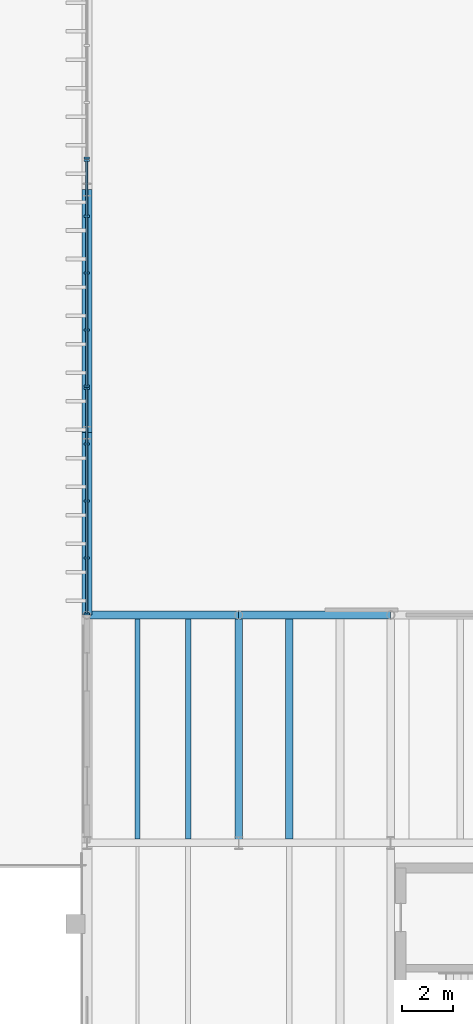
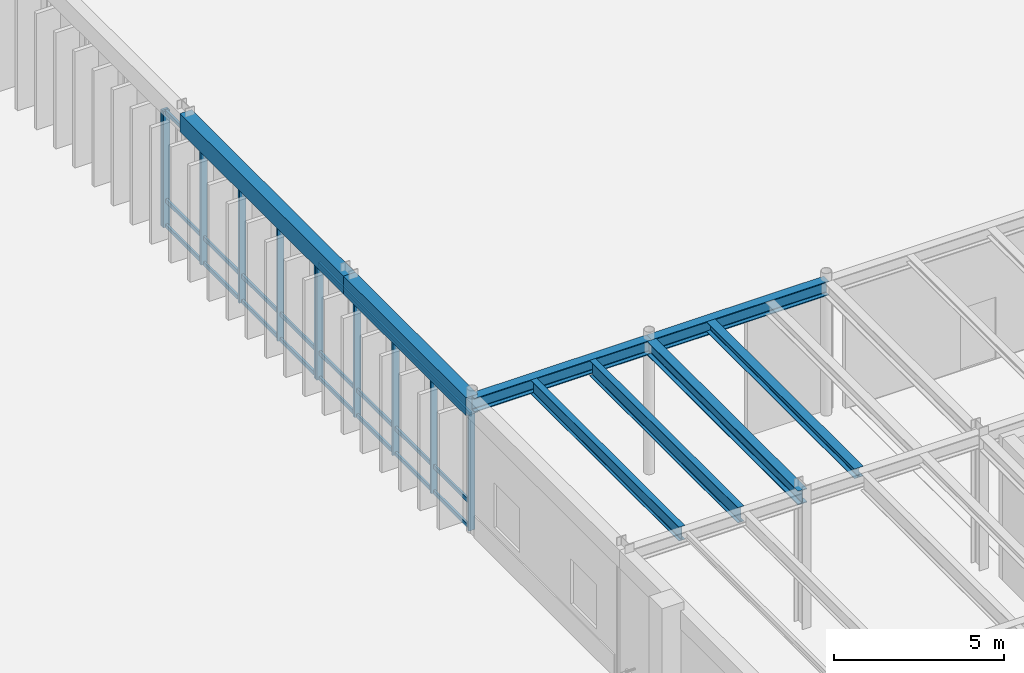
# One storey, part 18 of 64: 17 members, 8 beams, 3 elements without a shape of their own.
"""IFC4 building model written with IfcOpenShell, lengths in metres."""

from ifc_helpers import new_model, si_unit, direction, frame, origin, origin_2d, place, context, subcontext, project, spatial, rectangle, i_section, extrude, material, layer, layer_set, material_profile, profile_set, type_object, element, aggregate, save


model = new_model("IFC4")

# Units and contexts
model_context = context("Model", 3, precision=1e-05, world=origin(), true_north=direction((0.0, 1.0)))
body_context = subcontext(model_context, "Body", "Model", "MODEL_VIEW")
ifc_project = project(units=[si_unit("LENGTHUNIT", "METRE"), si_unit("AREAUNIT", "SQUARE_METRE"), si_unit("VOLUMEUNIT", "CUBIC_METRE"), si_unit("PLANEANGLEUNIT", "RADIAN"), si_unit("MASSUNIT", "GRAM", prefix="KILO")], contexts=[model_context])

# Site, building, storey
site_placement = place(None, origin())
site = spatial("IfcSite", under=ifc_project, at=site_placement, CompositionType="ELEMENT")
building_placement = place(site_placement, origin())
building = spatial("IfcBuilding", under=site, at=building_placement, Name="Montealbar Specialist Clinic", CompositionType="ELEMENT")
storey_placement = place(building_placement, origin())
storey = spatial("IfcBuildingStorey", under=building, at=storey_placement, Name="L00", CompositionType="ELEMENT", Elevation=0.0)

# Beams
ifc_material_1 = material(Name="Steel S355", Category="steel")
ifc_material_profile_1 = material_profile(ifc_material_1, i_section(OverallWidth=0.300048828125, OverallDepth=0.5, WebThickness=0.014404296875, FlangeThickness=0.028076171875, FilletRadius=0.027099609375, at=origin_2d()), Name="HEB 500", Category="steel")
ifc_profile_set_1 = profile_set([ifc_material_profile_1], Name="Steel S355")
beam_type_1 = type_object("IfcBeamType", Name="BM-GIRD-HEB500", PredefinedType="BEAM", material=ifc_profile_set_1)
for number, where, z_axis, x_axis, name in (
    (1, (54.0, 45.0, 4.56005859375), (1.0, 0.0, 0.0), (0.0, 1.0, 0.0), "Beam GX-L00-540-600-450"),
    (2, (60.0, 45.0, 4.56005859375), (1.0, 0.0, 0.0), (0.0, 1.0, 0.0), "Beam GX-L00-600-660-450"),
):
    element("IfcBeam", number, at=place(storey_placement, frame(where, z_axis=z_axis, x_axis=x_axis)), inside=storey, type_object=beam_type_1, Name=name, PredefinedType="BEAM", context=body_context, shape_type="SweptSolid", body=[
        extrude(i_section(OverallWidth=0.300048828125, OverallDepth=0.5, WebThickness=0.014404296875, FlangeThickness=0.028076171875, FilletRadius=0.027099609375, at=origin_2d()), origin(), (0.0, 0.0, 1.0), 6.0),
    ])
beam_1_placement = place(storey_placement, frame((60.0, 36.0, 4.56005859375), z_axis=(0.0, 1.0, 0.0), x_axis=(-1.0, 0.0, 0.0)))
element("IfcBeam", 3, at=beam_1_placement, inside=storey, type_object=beam_type_1, Name="Beam GY-L00-600-360-450", PredefinedType="BEAM", context=body_context, shape_type="SweptSolid", body=[
    extrude(i_section(OverallWidth=0.300048828125, OverallDepth=0.5, WebThickness=0.014404296875, FlangeThickness=0.028076171875, FilletRadius=0.027099609375, at=origin_2d()), origin(), (0.0, 0.0, 1.0), 9.0),
])
ifc_material_profile_2 = material_profile(ifc_material_1, i_section(OverallWidth=0.300048828125, OverallDepth=0.35009765625, WebThickness=0.010009765625, FlangeThickness=0.017578125, FilletRadius=0.027099609375, at=origin_2d()), Name="HEA 360", Category="steel")
ifc_profile_set_2 = profile_set([ifc_material_profile_2], Name="Steel S355")
beam_type_2 = type_object("IfcBeamType", Name="BM-JST-HEA360", PredefinedType="JOIST", material=ifc_profile_set_2)
beam_2_placement = place(storey_placement, frame((62.0, 36.14990234375, 4.635009765625), z_axis=(0.0, 1.0, 0.0), x_axis=(-1.0, 0.0, 0.0)))
element("IfcBeam", 4, at=beam_2_placement, inside=storey, type_object=beam_type_2, Name="Beam JST-L00-620-362-448", PredefinedType="JOIST", context=body_context, shape_type="SweptSolid", body=[
    extrude(i_section(OverallWidth=0.300048828125, OverallDepth=0.35009765625, WebThickness=0.010009765625, FlangeThickness=0.017578125, FilletRadius=0.027099609375, at=origin_2d()), origin(), (0.0, 0.0, 1.0), 8.7001953125),
])
ifc_material_profile_3 = material_profile(ifc_material_1, i_section(OverallWidth=0.199951171875, OverallDepth=0.5, WebThickness=0.01025390625, FlangeThickness=0.01611328125, FilletRadius=0.02099609375, at=origin_2d()), Name="IPE 500", Category="steel")
ifc_profile_set_3 = profile_set([ifc_material_profile_3], Name="Steel S355")
beam_type_3 = type_object("IfcBeamType", Name="BM-JST-IPE500", PredefinedType="JOIST", material=ifc_profile_set_3)
beam_3_placement = place(storey_placement, frame((56.0, 36.14990234375, 4.56005859375), z_axis=(0.0, 1.0, 0.0), x_axis=(-1.0, 0.0, 0.0)))
element("IfcBeam", 5, at=beam_3_placement, inside=storey, type_object=beam_type_3, Name="Beam JST-L00-560-362-448", PredefinedType="JOIST", context=body_context, shape_type="SweptSolid", body=[
    extrude(i_section(OverallWidth=0.199951171875, OverallDepth=0.5, WebThickness=0.01025390625, FlangeThickness=0.01611328125, FilletRadius=0.02099609375, at=origin_2d()), origin(), (0.0, 0.0, 1.0), 8.7001953125),
])
ifc_material_profile_4 = material_profile(ifc_material_1, i_section(OverallWidth=0.2099609375, OverallDepth=0.550048828125, WebThickness=0.010986328125, FlangeThickness=0.01708984375, FilletRadius=0.02392578125, at=origin_2d()), Name="IPE 550", Category="steel")
ifc_profile_set_4 = profile_set([ifc_material_profile_4], Name="Steel S355")
beam_type_4 = type_object("IfcBeamType", Name="BM-JST-IPE550", PredefinedType="JOIST", material=ifc_profile_set_4)
beam_4_placement = place(storey_placement, frame((58.0, 36.14990234375, 4.534912109375), z_axis=(0.0, 1.0, 0.0), x_axis=(-1.0, 0.0, 0.0)))
element("IfcBeam", 6, at=beam_4_placement, inside=storey, type_object=beam_type_4, Name="Beam JST-L00-580-362-448", PredefinedType="JOIST", context=body_context, shape_type="SweptSolid", body=[
    extrude(i_section(OverallWidth=0.2099609375, OverallDepth=0.550048828125, WebThickness=0.010986328125, FlangeThickness=0.01708984375, FilletRadius=0.02392578125, at=origin_2d()), origin(), (0.0, 0.0, 1.0), 8.7001953125),
])
ifc_material_2 = material(Name="Concrete C35/45", Category="concrete")
ifc_material_profile_5 = material_profile(ifc_material_2, rectangle(XDim=0.39990234375, YDim=0.64990234375, at=origin_2d()), Name="RC 400x650", Category="concrete")
ifc_profile_set_5 = profile_set([ifc_material_profile_5], Name="Concrete C35/45")
beam_type_5 = type_object("IfcBeamType", Name="BM-RC-400x650-EXT", PredefinedType="BEAM", material=ifc_profile_set_5)
beam_5_placement = place(storey_placement, frame((54.0, 45.0, 4.485107421875), z_axis=(0.0, 1.0, 0.0), x_axis=(-1.0, 0.0, 0.0)))
element("IfcBeam", 7, at=beam_5_placement, inside=storey, type_object=beam_type_5, Name="Beam GY-L00-540-450-522", PredefinedType="BEAM", context=body_context, shape_type="SweptSolid", body=[
    extrude(rectangle(XDim=0.39990234375, YDim=0.64990234375, at=origin_2d()), origin(), (0.0, 0.0, 1.0), 7.199951171875),
])
beam_6_placement = place(storey_placement, frame((54.0, 52.199951171875, 4.485107421875), z_axis=(0.0, 1.0, 0.0), x_axis=(-1.0, 0.0, 0.0)))
element("IfcBeam", 8, at=beam_6_placement, inside=storey, type_object=beam_type_5, Name="Beam GY-L00-540-522-618", PredefinedType="BEAM", context=body_context, shape_type="SweptSolid", body=[
    extrude(rectangle(XDim=0.39990234375, YDim=0.64990234375, at=origin_2d()), origin(), (0.0, 0.0, 1.0), 9.60009765625),
])

# Curtain wall, members
ifc_material_3 = material(Name="Low-E double glazing", Category="glass")
ifc_layer = layer(ifc_material_3, 0.199951171875, Name="Low-E double glazing", Category="glass")
ifc_layer_set = layer_set([ifc_layer], Name="Low-E double glazing")
curtain_wall_type = type_object("IfcCurtainWallType", Name="CW-TYPE-01", PredefinedType="NOTDEFINED", material=ifc_layer_set)
curtain_wall_1_placement = place(storey_placement, origin())
curtain_wall_1 = element("IfcCurtainWall", 9, at=curtain_wall_1_placement, inside=storey, type_object=curtain_wall_type, Name="Unitised Curtain Wall CW-L00-540-450-540-540-0", PredefinedType="NOTDEFINED")
ifc_material_4 = material(Name="Anodised aluminium EN AW-6063", Category="aluminium")
ifc_material_profile_6 = material_profile(ifc_material_4, rectangle(XDim=0.080078125, YDim=0.219970703125, at=origin_2d()), Name="ALU 80x220", Category="aluminium")
ifc_profile_set_6 = profile_set([ifc_material_profile_6], Name="Anodised aluminium EN AW-6063")
member_type_1 = type_object("IfcMemberType", Name="CW-MUL-220", PredefinedType="MULLION", material=ifc_profile_set_6)
member_1_placement = place(storey_placement, frame((54.0, 45.044921875, 0.0), z_axis=(0.0, 0.0, 1.0), x_axis=(0.0, 1.0, 0.0)))
member_1 = element("IfcMember", 10, at=member_1_placement, type_object=member_type_1, Name="Curtain Wall Mullion CW-L00-540-450-540-540-0-00", PredefinedType="MULLION", context=body_context, shape_type="SweptSolid", body=[
    extrude(rectangle(XDim=0.080078125, YDim=0.219970703125, at=origin_2d()), origin(), (0.0, 0.0, 1.0), 4.159912109375),
])
member_2_placement = place(storey_placement, frame((54.0, 47.25, 0.0), z_axis=(0.0, 0.0, 1.0), x_axis=(0.0, 1.0, 0.0)))
member_2 = element("IfcMember", 11, at=member_2_placement, type_object=member_type_1, Name="Curtain Wall Mullion CW-L00-540-450-540-540-0-01", PredefinedType="MULLION", context=body_context, shape_type="SweptSolid", body=[
    extrude(rectangle(XDim=0.080078125, YDim=0.219970703125, at=origin_2d()), origin(), (0.0, 0.0, 1.0), 4.159912109375),
])
member_3_placement = place(storey_placement, frame((54.0, 49.5, 0.0), z_axis=(0.0, 0.0, 1.0), x_axis=(0.0, 1.0, 0.0)))
member_3 = element("IfcMember", 12, at=member_3_placement, type_object=member_type_1, Name="Curtain Wall Mullion CW-L00-540-450-540-540-0-02", PredefinedType="MULLION", context=body_context, shape_type="SweptSolid", body=[
    extrude(rectangle(XDim=0.080078125, YDim=0.219970703125, at=origin_2d()), origin(), (0.0, 0.0, 1.0), 4.159912109375),
])
member_4_placement = place(storey_placement, frame((54.0, 51.75, 0.0), z_axis=(0.0, 0.0, 1.0), x_axis=(0.0, 1.0, 0.0)))
member_4 = element("IfcMember", 13, at=member_4_placement, type_object=member_type_1, Name="Curtain Wall Mullion CW-L00-540-450-540-540-0-03", PredefinedType="MULLION", context=body_context, shape_type="SweptSolid", body=[
    extrude(rectangle(XDim=0.080078125, YDim=0.219970703125, at=origin_2d()), origin(), (0.0, 0.0, 1.0), 4.159912109375),
])
member_5_placement = place(storey_placement, frame((54.0, 53.955078125, 0.0), z_axis=(0.0, 0.0, 1.0), x_axis=(0.0, 1.0, 0.0)))
member_5 = element("IfcMember", 14, at=member_5_placement, type_object=member_type_1, Name="Curtain Wall Mullion CW-L00-540-450-540-540-0-04", PredefinedType="MULLION", context=body_context, shape_type="SweptSolid", body=[
    extrude(rectangle(XDim=0.080078125, YDim=0.219970703125, at=origin_2d()), origin(), (0.0, 0.0, 1.0), 4.159912109375),
])

curtain_wall_2_placement = place(storey_placement, origin())
curtain_wall_2 = element("IfcCurtainWall", 15, at=curtain_wall_2_placement, inside=storey, type_object=curtain_wall_type, Name="Unitised Curtain Wall CW-L00-540-540-540-630-0", PredefinedType="NOTDEFINED")
member_6_placement = place(storey_placement, frame((54.0, 54.044921875, 0.0), z_axis=(0.0, 0.0, 1.0), x_axis=(0.0, 1.0, 0.0)))
member_6 = element("IfcMember", 16, at=member_6_placement, type_object=member_type_1, Name="Curtain Wall Mullion CW-L00-540-540-540-630-0-00", PredefinedType="MULLION", context=body_context, shape_type="SweptSolid", body=[
    extrude(rectangle(XDim=0.080078125, YDim=0.219970703125, at=origin_2d()), origin(), (0.0, 0.0, 1.0), 4.159912109375),
])
member_7_placement = place(storey_placement, frame((54.0, 56.25, 0.0), z_axis=(0.0, 0.0, 1.0), x_axis=(0.0, 1.0, 0.0)))
member_7 = element("IfcMember", 17, at=member_7_placement, type_object=member_type_1, Name="Curtain Wall Mullion CW-L00-540-540-540-630-0-01", PredefinedType="MULLION", context=body_context, shape_type="SweptSolid", body=[
    extrude(rectangle(XDim=0.080078125, YDim=0.219970703125, at=origin_2d()), origin(), (0.0, 0.0, 1.0), 4.159912109375),
])
member_8_placement = place(storey_placement, frame((54.0, 58.5, 0.0), z_axis=(0.0, 0.0, 1.0), x_axis=(0.0, 1.0, 0.0)))
member_8 = element("IfcMember", 18, at=member_8_placement, type_object=member_type_1, Name="Curtain Wall Mullion CW-L00-540-540-540-630-0-02", PredefinedType="MULLION", context=body_context, shape_type="SweptSolid", body=[
    extrude(rectangle(XDim=0.080078125, YDim=0.219970703125, at=origin_2d()), origin(), (0.0, 0.0, 1.0), 4.159912109375),
])
member_9_placement = place(storey_placement, frame((54.0, 60.75, 0.0), z_axis=(0.0, 0.0, 1.0), x_axis=(0.0, 1.0, 0.0)))
member_9 = element("IfcMember", 19, at=member_9_placement, type_object=member_type_1, Name="Curtain Wall Mullion CW-L00-540-540-540-630-0-03", PredefinedType="MULLION", context=body_context, shape_type="SweptSolid", body=[
    extrude(rectangle(XDim=0.080078125, YDim=0.219970703125, at=origin_2d()), origin(), (0.0, 0.0, 1.0), 4.159912109375),
])
member_10_placement = place(storey_placement, frame((54.0, 62.955078125, 0.0), z_axis=(0.0, 0.0, 1.0), x_axis=(0.0, 1.0, 0.0)))
member_10 = element("IfcMember", 20, at=member_10_placement, type_object=member_type_1, Name="Curtain Wall Mullion CW-L00-540-540-540-630-0-04", PredefinedType="MULLION", context=body_context, shape_type="SweptSolid", body=[
    extrude(rectangle(XDim=0.080078125, YDim=0.219970703125, at=origin_2d()), origin(), (0.0, 0.0, 1.0), 4.159912109375),
])

# Curtain wall, member
curtain_wall_3_placement = place(storey_placement, origin())
curtain_wall_3 = element("IfcCurtainWall", 21, at=curtain_wall_3_placement, inside=storey, type_object=curtain_wall_type, Name="Unitised Curtain Wall CW-L00-540-630-540-720-0", PredefinedType="NOTDEFINED")
member_11_placement = place(storey_placement, frame((54.0, 63.044921875, 0.0), z_axis=(0.0, 0.0, 1.0), x_axis=(0.0, 1.0, 0.0)))
member_11 = element("IfcMember", 22, at=member_11_placement, type_object=member_type_1, Name="Curtain Wall Mullion CW-L00-540-630-540-720-0-00", PredefinedType="MULLION", context=body_context, shape_type="SweptSolid", body=[
    extrude(rectangle(XDim=0.080078125, YDim=0.219970703125, at=origin_2d()), origin(), (0.0, 0.0, 1.0), 4.159912109375),
])
aggregate(curtain_wall_3, [member_11])

# Member
ifc_material_5 = material(Name="Powder-coated aluminium", Category="aluminium")
ifc_material_profile_7 = material_profile(ifc_material_5, rectangle(XDim=0.070068359375, YDim=0.139892578125, at=origin_2d()), Name="ALU 70x140", Category="aluminium")
ifc_profile_set_7 = profile_set([ifc_material_profile_7], Name="Powder-coated aluminium")
member_type_2 = type_object("IfcMemberType", Name="CW-TRN-140", PredefinedType="USERDEFINED", material=ifc_profile_set_7)
member_12_placement = place(storey_placement, frame((54.0, 45.050048828125, 0.0400390625), z_axis=(0.0, 1.0, 0.0), x_axis=(-1.0, 0.0, 0.0)))
member_12 = element("IfcMember", 23, at=member_12_placement, type_object=member_type_2, Name="Curtain Wall Transom CW-L00-540-450-540-540-0-00", ObjectType="TRANSOM", PredefinedType="USERDEFINED", context=body_context, shape_type="SweptSolid", body=[
    extrude(rectangle(XDim=0.070068359375, YDim=0.139892578125, at=origin_2d()), origin(), (0.0, 0.0, 1.0), 8.89990234375),
])

member_13_placement = place(storey_placement, frame((54.0, 45.050048828125, 0.949951171875), z_axis=(0.0, 1.0, 0.0), x_axis=(-1.0, 0.0, 0.0)))
member_13 = element("IfcMember", 24, at=member_13_placement, type_object=member_type_2, Name="Curtain Wall Transom CW-L00-540-450-540-540-0-01", ObjectType="TRANSOM", PredefinedType="USERDEFINED", context=body_context, shape_type="SweptSolid", body=[
    extrude(rectangle(XDim=0.070068359375, YDim=0.139892578125, at=origin_2d()), origin(), (0.0, 0.0, 1.0), 8.89990234375),
])

member_14_placement = place(storey_placement, frame((54.0, 45.050048828125, 4.1201171875), z_axis=(0.0, 1.0, 0.0), x_axis=(-1.0, 0.0, 0.0)))
member_14 = element("IfcMember", 25, at=member_14_placement, type_object=member_type_2, Name="Curtain Wall Transom CW-L00-540-450-540-540-0-02", ObjectType="TRANSOM", PredefinedType="USERDEFINED", context=body_context, shape_type="SweptSolid", body=[
    extrude(rectangle(XDim=0.070068359375, YDim=0.139892578125, at=origin_2d()), origin(), (0.0, 0.0, 1.0), 8.89990234375),
])

aggregate(curtain_wall_1, [member_1, member_2, member_3, member_4, member_5, member_12, member_13, member_14])

member_15_placement = place(storey_placement, frame((54.0, 54.050048828125, 0.0400390625), z_axis=(0.0, 1.0, 0.0), x_axis=(-1.0, 0.0, 0.0)))
member_15 = element("IfcMember", 26, at=member_15_placement, type_object=member_type_2, Name="Curtain Wall Transom CW-L00-540-540-540-630-0-00", ObjectType="TRANSOM", PredefinedType="USERDEFINED", context=body_context, shape_type="SweptSolid", body=[
    extrude(rectangle(XDim=0.070068359375, YDim=0.139892578125, at=origin_2d()), origin(), (0.0, 0.0, 1.0), 8.89990234375),
])

member_16_placement = place(storey_placement, frame((54.0, 54.050048828125, 0.949951171875), z_axis=(0.0, 1.0, 0.0), x_axis=(-1.0, 0.0, 0.0)))
member_16 = element("IfcMember", 27, at=member_16_placement, type_object=member_type_2, Name="Curtain Wall Transom CW-L00-540-540-540-630-0-01", ObjectType="TRANSOM", PredefinedType="USERDEFINED", context=body_context, shape_type="SweptSolid", body=[
    extrude(rectangle(XDim=0.070068359375, YDim=0.139892578125, at=origin_2d()), origin(), (0.0, 0.0, 1.0), 8.89990234375),
])

member_17_placement = place(storey_placement, frame((54.0, 54.050048828125, 4.1201171875), z_axis=(0.0, 1.0, 0.0), x_axis=(-1.0, 0.0, 0.0)))
member_17 = element("IfcMember", 28, at=member_17_placement, type_object=member_type_2, Name="Curtain Wall Transom CW-L00-540-540-540-630-0-02", ObjectType="TRANSOM", PredefinedType="USERDEFINED", context=body_context, shape_type="SweptSolid", body=[
    extrude(rectangle(XDim=0.070068359375, YDim=0.139892578125, at=origin_2d()), origin(), (0.0, 0.0, 1.0), 8.89990234375),
])

aggregate(curtain_wall_2, [member_6, member_7, member_8, member_9, member_10, member_15, member_16, member_17])

save(model, "model.ifc")
